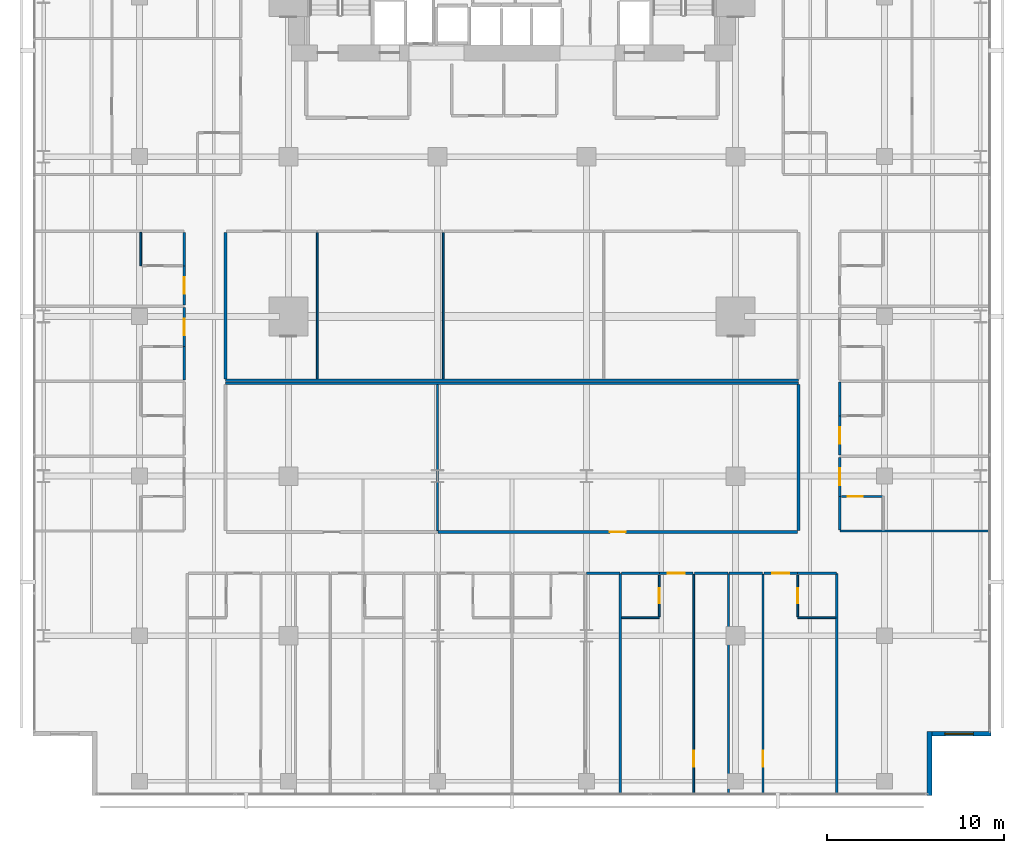
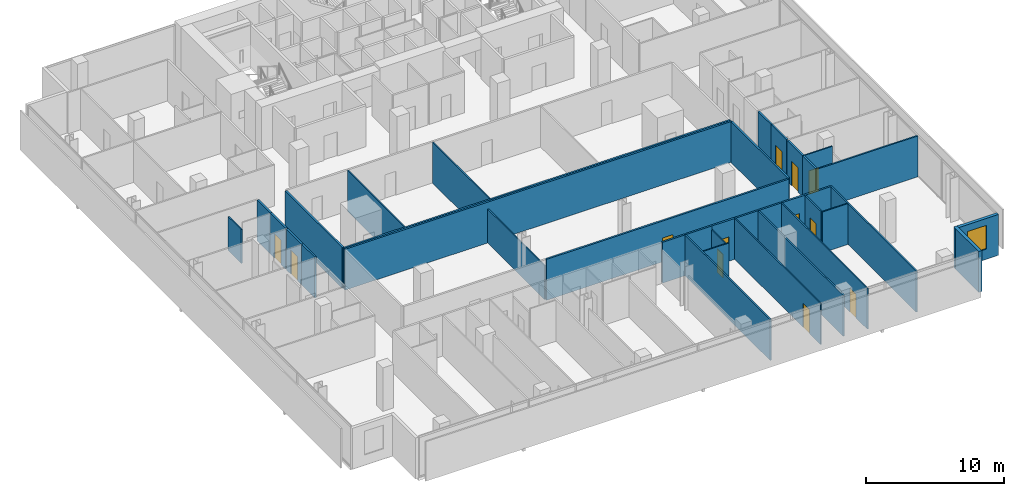
# One storey, part 34 of 40: 37 walls, 12 doors, 1 window, 13 openings.
"""IFC4 building model written with IfcOpenShell, lengths in metres."""

from ifc_helpers import new_model, si_unit, direction, frame, frame_2d, origin, place, context, subcontext, project, spatial, rectangle, extrude, material, layer, layer_set, type_object, element, fill, save


model = new_model("IFC4")

# Units and contexts
model_context = context("Model", 3, precision=1e-05, world=origin(), true_north=direction((0.0, 1.0)))
body_context = subcontext(model_context, "Body", "Model", "MODEL_VIEW")
ifc_project = project(units=[si_unit("LENGTHUNIT", "METRE"), si_unit("AREAUNIT", "SQUARE_METRE"), si_unit("VOLUMEUNIT", "CUBIC_METRE"), si_unit("PLANEANGLEUNIT", "RADIAN"), si_unit("MASSUNIT", "GRAM", prefix="KILO")], contexts=[model_context])

# Site, building, storey
site_placement = place(None, origin())
site = spatial("IfcSite", under=ifc_project, at=site_placement, CompositionType="ELEMENT")
building_placement = place(site_placement, origin())
building = spatial("IfcBuilding", under=site, at=building_placement, Name="Maruvema Waterfront Hotel and Observation Tower", CompositionType="ELEMENT")
storey_placement = place(building_placement, frame((0.0, 0.0, 38.5)))
storey = spatial("IfcBuildingStorey", under=building, at=storey_placement, Name="L08", CompositionType="ELEMENT", Elevation=38.5)

# Walls
ifc_material_1 = material(Name="Twin-stud acoustic gypsum drywall", Category="gypsum")
ifc_layer_1 = layer(ifc_material_1, 0.14990234375, Name="Acoustic Corridor and Suite Demising Wall 150 mm")
ifc_layer_set_1 = layer_set([ifc_layer_1], Name="Twin-stud acoustic gypsum drywall")
wall_type_1 = type_object("IfcWallType", Name="Acoustic Corridor and Suite Demising Wall 150 mm", PredefinedType="PARTITIONING", material=ifc_layer_set_1)
wall_1_placement = place(storey_placement, frame((21.64990234375, 23.39990234375, 0.0), z_axis=(0.0, 0.0, 1.0), x_axis=(1.0, 0.0, 0.0)))
element("IfcWall", 1, at=wall_1_placement, inside=storey, type_object=wall_type_1, Name="L08 L08-INTN Back Wall 022", PredefinedType="PARTITIONING", context=body_context, shape_type="SweptSolid", body=[
    extrude(rectangle(XDim=32.300048828125, YDim=0.14990234375, at=frame_2d((16.14990234375, 0.0))), origin(), (0.0, 0.0, 1.0), 3.610107421875),
])
wall_2_placement = place(storey_placement, frame((21.64990234375, 23.47998046875, 0.0), z_axis=(0.0, 0.0, 1.0), x_axis=(0.0, 1.0, 0.0)))
element("IfcWall", 2, at=wall_2_placement, inside=storey, type_object=wall_type_1, Name="L08 L08-INTN West Wall 023", PredefinedType="PARTITIONING", context=body_context, shape_type="SweptSolid", body=[
    extrude(rectangle(XDim=8.239990234375, YDim=0.14990234375, at=frame_2d((4.1201171875, 0.0))), origin(), (0.0, 0.0, 1.0), 3.610107421875),
])
wall_3_placement = place(storey_placement, frame((21.64990234375, 23.239990234375, 0.0), z_axis=(0.0, 0.0, 1.0), x_axis=(1.0, 0.0, 0.0)))
element("IfcWall", 3, at=wall_3_placement, inside=storey, type_object=wall_type_1, Name="L08 L08-INTS Back Wall 032", PredefinedType="PARTITIONING", context=body_context, shape_type="SweptSolid", body=[
    extrude(rectangle(XDim=32.300048828125, YDim=0.14990234375, at=frame_2d((16.14990234375, 0.0))), origin(), (0.0, 0.0, 1.0), 3.610107421875),
])
wall_4_placement = place(storey_placement, frame((53.949951171875, 14.929931640625, 0.0), z_axis=(0.0, 0.0, 1.0), x_axis=(0.0, 1.0, 0.0)))
element("IfcWall", 4, at=wall_4_placement, inside=storey, type_object=wall_type_1, Name="L08 L08-INTS East Wall 034", PredefinedType="PARTITIONING", context=body_context, shape_type="SweptSolid", body=[
    extrude(rectangle(XDim=8.22998046875, YDim=0.14990234375, at=frame_2d((4.114990234375, 0.0))), origin(), (0.0, 0.0, 1.0), 3.610107421875),
])

# Wall, opening, door
wall_5_placement = place(storey_placement, frame((33.631103515625, 14.85009765625, 0.0), z_axis=(0.0, 0.0, 1.0), x_axis=(1.0, 0.0, 0.0)))
wall_5 = element("IfcWall", 5, at=wall_5_placement, inside=storey, type_object=wall_type_1, Name="L08 L08-INTS Front 2 037", PredefinedType="PARTITIONING", context=body_context, shape_type="SweptSolid", body=[
    extrude(rectangle(XDim=20.2587890625, YDim=0.14990234375, at=frame_2d((10.12939453125, 0.0))), origin(), (0.0, 0.0, 1.0), 3.610107421875),
])
opening_1_placement = place(wall_5_placement, frame((9.679443359375, 0.0, 0.0)))
opening_1 = element("IfcOpeningElement", 6, at=opening_1_placement, cuts=wall_5, Name="Opening DR-090", PredefinedType="OPENING", context=body_context, shape_type="SweptSolid", body=[
    extrude(rectangle(XDim=0.89990234375, YDim=2.10009765625, at=frame_2d((0.449951171875, 1.050048828125))), frame((0.0, 0.0849609375, 0.0), z_axis=(0.0, -1.0, 0.0), x_axis=(1.0, 0.0, 0.0)), (0.0, 0.0, 1.0), 0.169921875),
])
ifc_material_2 = material(Name="Solid-core lacquered timber leaf", Category="wood")
door_type_1 = type_object("IfcDoorType", Name="Accessible Toilet and Room Door 900x2100 mm", OperationType="NOTDEFINED", PredefinedType="DOOR", material=ifc_material_2)
door_1_placement = place(opening_1_placement, frame((0.89990234375, 0.0, 0.0), z_axis=(0.0, 0.0, 1.0), x_axis=(-1.0, 0.0, 0.0)))
door_1 = element("IfcDoor", 7, at=door_1_placement, inside=storey, type_object=door_type_1, Name="L08 Guest Lounge East Door", OperationType="SINGLE_SWING_RIGHT", OverallHeight=2.10009765625, OverallWidth=0.89990234375, PredefinedType="DOOR", context=body_context, shape_type="SweptSolid", body=[
    extrude(rectangle(XDim=0.89990234375, YDim=2.10009765625, at=frame_2d((0.449951171875, 1.050048828125))), frame((0.0, 0.02490234375, 0.0), z_axis=(0.0, -1.0, 0.0), x_axis=(1.0, 0.0, 0.0)), (0.0, 0.0, 1.0), 0.050048828125),
])
fill(opening_1, door_1)

# Walls
wall_6_placement = place(storey_placement, frame((41.989990234375, 12.52001953125, 0.0), z_axis=(0.0, 0.0, 1.0), x_axis=(1.0, 0.0, 0.0)))
element("IfcWall", 8, at=wall_6_placement, inside=storey, type_object=wall_type_1, Name="L08 Bedroom L08-S4 Back Wall 065", PredefinedType="PARTITIONING", context=body_context, shape_type="SweptSolid", body=[
    extrude(rectangle(XDim=1.889892578125, YDim=0.14990234375, at=frame_2d((0.94482421875, 0.0))), origin(), (0.0, 0.0, 1.0), 3.610107421875),
])
wall_7_placement = place(storey_placement, frame((43.97998046875, 12.52001953125, 0.0), z_axis=(0.0, 0.0, 1.0), x_axis=(1.0, 0.0, 0.0)))
element("IfcWall", 9, at=wall_7_placement, inside=storey, type_object=wall_type_1, Name="L08 Bath L08-S5 Back Wall 068", PredefinedType="PARTITIONING", context=body_context, shape_type="SweptSolid", body=[
    extrude(rectangle(XDim=2.1201171875, YDim=0.14990234375, at=frame_2d((1.06005859375, 0.0))), origin(), (0.0, 0.0, 1.0), 3.610107421875),
])

# Wall, opening, door
wall_8_placement = place(storey_placement, frame((46.10009765625, 12.52001953125, 0.0), z_axis=(0.0, 0.0, 1.0), x_axis=(1.0, 0.0, 0.0)))
wall_8 = element("IfcWall", 10, at=wall_8_placement, inside=storey, type_object=wall_type_1, Name="L08 Unit L08-S5 Corridor Wall 071", PredefinedType="PARTITIONING", context=body_context, shape_type="SweptSolid", body=[
    extrude(rectangle(XDim=1.909912109375, YDim=0.14990234375, at=frame_2d((0.955078125, 0.0))), origin(), (0.0, 0.0, 1.0), 3.610107421875),
])
opening_2_placement = place(wall_8_placement, frame((0.47998046875, 0.0, 0.0)))
opening_2 = element("IfcOpeningElement", 11, at=opening_2_placement, cuts=wall_8, Name="Opening DR-095", PredefinedType="OPENING", context=body_context, shape_type="SweptSolid", body=[
    extrude(rectangle(XDim=0.949951171875, YDim=2.14990234375, at=frame_2d((0.47509765625, 1.074951171875))), frame((0.0, 0.0849609375, 0.0), z_axis=(0.0, -1.0, 0.0), x_axis=(1.0, 0.0, 0.0)), (0.0, 0.0, 1.0), 0.169921875),
])
ifc_material_3 = material(Name="Acoustic solid-core hardwood timber leaf", Category="wood")
door_type_2 = type_object("IfcDoorType", Name="Guestroom Entrance Fire Door 950x2150 mm", OperationType="NOTDEFINED", PredefinedType="DOOR", material=ifc_material_3)
door_2_placement = place(opening_2_placement, frame((0.949951171875, 0.0, 0.0), z_axis=(0.0, 0.0, 1.0), x_axis=(-1.0, 0.0, 0.0)))
door_2 = element("IfcDoor", 12, at=door_2_placement, inside=storey, type_object=door_type_2, Name="L08 Unit L08-S5 Entrance Door", OperationType="SINGLE_SWING_RIGHT", OverallHeight=2.14990234375, OverallWidth=0.949951171875, PredefinedType="DOOR", context=body_context, shape_type="SweptSolid", body=[
    extrude(rectangle(XDim=0.949951171875, YDim=2.14990234375, at=frame_2d((0.47509765625, 1.074951171875))), frame((0.0, 0.02490234375, 0.0), z_axis=(0.0, -1.0, 0.0), x_axis=(1.0, 0.0, 0.0)), (0.0, 0.0, 1.0), 0.050048828125),
])
fill(opening_2, door_2)

# Walls
wall_9_placement = place(storey_placement, frame((48.090087890625, 12.52001953125, 0.0), z_axis=(0.0, 0.0, 1.0), x_axis=(1.0, 0.0, 0.0)))
element("IfcWall", 13, at=wall_9_placement, inside=storey, type_object=wall_type_1, Name="L08 Bedroom L08-S5 Back Wall 072", PredefinedType="PARTITIONING", context=body_context, shape_type="SweptSolid", body=[
    extrude(rectangle(XDim=1.889892578125, YDim=0.14990234375, at=frame_2d((0.94482421875, 0.0))), origin(), (0.0, 0.0, 1.0), 3.610107421875),
])
wall_10_placement = place(storey_placement, frame((53.89990234375, 12.52001953125, 0.0), z_axis=(0.0, 0.0, 1.0), x_axis=(1.0, 0.0, 0.0)))
element("IfcWall", 14, at=wall_10_placement, inside=storey, type_object=wall_type_1, Name="L08 Bath L08-S6 Back Wall 075", PredefinedType="PARTITIONING", context=body_context, shape_type="SweptSolid", body=[
    extrude(rectangle(XDim=2.18017578125, YDim=0.14990234375, at=frame_2d((1.090087890625, 0.0))), origin(), (0.0, 0.0, 1.0), 3.610107421875),
])
wall_11_placement = place(storey_placement, frame((50.02001953125, 12.52001953125, 0.0), z_axis=(0.0, 0.0, 1.0), x_axis=(1.0, 0.0, 0.0)))
element("IfcWall", 15, at=wall_11_placement, inside=storey, type_object=wall_type_1, Name="L08 Bedroom L08-S6 Back Wall 078", PredefinedType="PARTITIONING", context=body_context, shape_type="SweptSolid", body=[
    extrude(rectangle(XDim=1.889892578125, YDim=0.14990234375, at=frame_2d((0.94482421875, 0.0))), origin(), (0.0, 0.0, 1.0), 3.610107421875),
])

# Wall, opening, door
wall_12_placement = place(storey_placement, frame((51.989990234375, 12.52001953125, 0.0), z_axis=(0.0, 0.0, 1.0), x_axis=(1.0, 0.0, 0.0)))
wall_12 = element("IfcWall", 16, at=wall_12_placement, inside=storey, type_object=wall_type_1, Name="L08 Unit L08-S6 Corridor Wall 079", PredefinedType="PARTITIONING", context=body_context, shape_type="SweptSolid", body=[
    extrude(rectangle(XDim=1.909912109375, YDim=0.14990234375, at=frame_2d((0.955078125, 0.0))), origin(), (0.0, 0.0, 1.0), 3.610107421875),
])
opening_3_placement = place(wall_12_placement, frame((0.47998046875, 0.0, 0.0)))
opening_3 = element("IfcOpeningElement", 17, at=opening_3_placement, cuts=wall_12, Name="Opening DR-095", PredefinedType="OPENING", context=body_context, shape_type="SweptSolid", body=[
    extrude(rectangle(XDim=0.949951171875, YDim=2.14990234375, at=frame_2d((0.47509765625, 1.074951171875))), frame((0.0, 0.0849609375, 0.0), z_axis=(0.0, -1.0, 0.0), x_axis=(1.0, 0.0, 0.0)), (0.0, 0.0, 1.0), 0.169921875),
])
door_3_placement = place(opening_3_placement, frame((0.949951171875, 0.0, 0.0), z_axis=(0.0, 0.0, 1.0), x_axis=(-1.0, 0.0, 0.0)))
door_3 = element("IfcDoor", 18, at=door_3_placement, inside=storey, type_object=door_type_2, Name="L08 Unit L08-S6 Entrance Door", OperationType="SINGLE_SWING_LEFT", OverallHeight=2.14990234375, OverallWidth=0.949951171875, PredefinedType="DOOR", context=body_context, shape_type="SweptSolid", body=[
    extrude(rectangle(XDim=0.949951171875, YDim=2.14990234375, at=frame_2d((0.47509765625, 1.074951171875))), frame((0.0, 0.02490234375, 0.0), z_axis=(0.0, -1.0, 0.0), x_axis=(1.0, 0.0, 0.0)), (0.0, 0.0, 1.0), 0.050048828125),
])
fill(opening_3, door_3)

# Wall
wall_13_placement = place(storey_placement, frame((56.280029296875, 14.9599609375, 0.0), z_axis=(0.0, 0.0, 1.0), x_axis=(0.0, 1.0, 0.0)))
element("IfcWall", 19, at=wall_13_placement, inside=storey, type_object=wall_type_1, Name="L08 Bath L08-E1 Wall 089", PredefinedType="PARTITIONING", context=body_context, shape_type="SweptSolid", body=[
    extrude(rectangle(XDim=1.89013671875, YDim=0.14990234375, at=frame_2d((0.945068359375, 0.0))), origin(), (0.0, 0.0, 1.0), 3.610107421875),
])

# Wall, opening, door
wall_14_placement = place(storey_placement, frame((56.280029296875, 16.85009765625, 0.0), z_axis=(0.0, 0.0, 1.0), x_axis=(0.0, 1.0, 0.0)))
wall_14 = element("IfcWall", 20, at=wall_14_placement, inside=storey, type_object=wall_type_1, Name="L08 Room L08-E1 Corridor Wall 090", PredefinedType="PARTITIONING", context=body_context, shape_type="SweptSolid", body=[
    extrude(rectangle(XDim=2.2099609375, YDim=0.14990234375, at=frame_2d((1.10498046875, 0.0))), origin(), (0.0, 0.0, 1.0), 3.610107421875),
])
opening_4_placement = place(wall_14_placement, frame((0.6298828125, 0.0, 0.0)))
opening_4 = element("IfcOpeningElement", 21, at=opening_4_placement, cuts=wall_14, Name="Opening DR-095", PredefinedType="OPENING", context=body_context, shape_type="SweptSolid", body=[
    extrude(rectangle(XDim=0.949951171875, YDim=2.14990234375, at=frame_2d((0.47509765625, 1.074951171875))), frame((0.0, 0.0849609375, 0.0), z_axis=(0.0, -1.0, 0.0), x_axis=(1.0, 0.0, 0.0)), (0.0, 0.0, 1.0), 0.169921875),
])
door_4_placement = place(opening_4_placement, frame((0.949951171875, 0.0, 0.0), z_axis=(0.0, 0.0, 1.0), x_axis=(-1.0, 0.0, 0.0)))
door_4 = element("IfcDoor", 22, at=door_4_placement, inside=storey, type_object=door_type_2, Name="L08 Room L08-E1 Entrance Door", OperationType="SINGLE_SWING_RIGHT", OverallHeight=2.14990234375, OverallWidth=0.949951171875, PredefinedType="DOOR", context=body_context, shape_type="SweptSolid", body=[
    extrude(rectangle(XDim=0.949951171875, YDim=2.14990234375, at=frame_2d((0.47509765625, 1.074951171875))), frame((0.0, 0.02490234375, 0.0), z_axis=(0.0, -1.0, 0.0), x_axis=(1.0, 0.0, 0.0)), (0.0, 0.0, 1.0), 0.050048828125),
])
fill(opening_4, door_4)

wall_15_placement = place(storey_placement, frame((56.280029296875, 19.179931640625, 0.0), z_axis=(0.0, 0.0, 1.0), x_axis=(0.0, 1.0, 0.0)))
wall_15 = element("IfcWall", 23, at=wall_15_placement, inside=storey, type_object=wall_type_1, Name="L08 Room L08-E2 Corridor Wall 099", PredefinedType="PARTITIONING", context=body_context, shape_type="SweptSolid", body=[
    extrude(rectangle(XDim=2.219970703125, YDim=0.14990234375, at=frame_2d((1.10986328125, 0.0))), origin(), (0.0, 0.0, 1.0), 3.610107421875),
])
opening_5_placement = place(wall_15_placement, frame((0.635009765625, 0.0, 0.0)))
opening_5 = element("IfcOpeningElement", 24, at=opening_5_placement, cuts=wall_15, Name="Opening DR-095", PredefinedType="OPENING", context=body_context, shape_type="SweptSolid", body=[
    extrude(rectangle(XDim=0.949951171875, YDim=2.14990234375, at=frame_2d((0.47509765625, 1.074951171875))), frame((0.0, 0.0849609375, 0.0), z_axis=(0.0, -1.0, 0.0), x_axis=(1.0, 0.0, 0.0)), (0.0, 0.0, 1.0), 0.169921875),
])
door_5_placement = place(opening_5_placement, frame((0.949951171875, 0.0, 0.0), z_axis=(0.0, 0.0, 1.0), x_axis=(-1.0, 0.0, 0.0)))
door_5 = element("IfcDoor", 25, at=door_5_placement, inside=storey, type_object=door_type_2, Name="L08 Room L08-E2 Entrance Door", OperationType="SINGLE_SWING_RIGHT", OverallHeight=2.14990234375, OverallWidth=0.949951171875, PredefinedType="DOOR", context=body_context, shape_type="SweptSolid", body=[
    extrude(rectangle(XDim=0.949951171875, YDim=2.14990234375, at=frame_2d((0.47509765625, 1.074951171875))), frame((0.0, 0.02490234375, 0.0), z_axis=(0.0, -1.0, 0.0), x_axis=(1.0, 0.0, 0.0)), (0.0, 0.0, 1.0), 0.050048828125),
])
fill(opening_5, door_5)

# Walls
for number, where, z_axis, x_axis, name in (
    (26, (56.280029296875, 21.39990234375, 0.0), (0.0, 0.0, 1.0), (0.0, 1.0, 0.0), "L08 Bath L08-E2 Wall 100"),
    (27, (19.320068359375, 23.409912109375, 0.0), (0.0, 0.0, 1.0), (0.0, 1.0, 0.0), "L08 Bath L08-W3 Wall 105"),
):
    element("IfcWall", number, at=place(storey_placement, frame(where, z_axis=z_axis, x_axis=x_axis)), inside=storey, type_object=wall_type_1, Name=name, PredefinedType="PARTITIONING", context=body_context, shape_type="SweptSolid", body=[
        extrude(rectangle(XDim=1.89013671875, YDim=0.14990234375, at=frame_2d((0.945068359375, 0.0))), origin(), (0.0, 0.0, 1.0), 3.610107421875),
    ])

# Wall, opening, door
wall_16_placement = place(storey_placement, frame((19.320068359375, 25.300048828125, 0.0), z_axis=(0.0, 0.0, 1.0), x_axis=(0.0, 1.0, 0.0)))
wall_16 = element("IfcWall", 28, at=wall_16_placement, inside=storey, type_object=wall_type_1, Name="L08 Room L08-W3 Corridor Wall 106", PredefinedType="PARTITIONING", context=body_context, shape_type="SweptSolid", body=[
    extrude(rectangle(XDim=2.2099609375, YDim=0.14990234375, at=frame_2d((1.10498046875, 0.0))), origin(), (0.0, 0.0, 1.0), 3.610107421875),
])
opening_6_placement = place(wall_16_placement, frame((0.6298828125, 0.0, 0.0)))
opening_6 = element("IfcOpeningElement", 29, at=opening_6_placement, cuts=wall_16, Name="Opening DR-095", PredefinedType="OPENING", context=body_context, shape_type="SweptSolid", body=[
    extrude(rectangle(XDim=0.949951171875, YDim=2.14990234375, at=frame_2d((0.47509765625, 1.074951171875))), frame((0.0, 0.0849609375, 0.0), z_axis=(0.0, -1.0, 0.0), x_axis=(1.0, 0.0, 0.0)), (0.0, 0.0, 1.0), 0.169921875),
])
door_6_placement = place(opening_6_placement, origin())
door_6 = element("IfcDoor", 30, at=door_6_placement, inside=storey, type_object=door_type_2, Name="L08 Room L08-W3 Entrance Door", OperationType="SINGLE_SWING_RIGHT", OverallHeight=2.14990234375, OverallWidth=0.949951171875, PredefinedType="DOOR", context=body_context, shape_type="SweptSolid", body=[
    extrude(rectangle(XDim=0.949951171875, YDim=2.14990234375, at=frame_2d((0.47509765625, 1.074951171875))), frame((0.0, 0.02490234375, 0.0), z_axis=(0.0, -1.0, 0.0), x_axis=(1.0, 0.0, 0.0)), (0.0, 0.0, 1.0), 0.050048828125),
])
fill(opening_6, door_6)

wall_17_placement = place(storey_placement, frame((19.320068359375, 27.6298828125, 0.0), z_axis=(0.0, 0.0, 1.0), x_axis=(0.0, 1.0, 0.0)))
wall_17 = element("IfcWall", 31, at=wall_17_placement, inside=storey, type_object=wall_type_1, Name="L08 Room L08-W4 Corridor Wall 115", PredefinedType="PARTITIONING", context=body_context, shape_type="SweptSolid", body=[
    extrude(rectangle(XDim=2.22021484375, YDim=0.14990234375, at=frame_2d((1.110107421875, 0.0))), origin(), (0.0, 0.0, 1.0), 3.610107421875),
])
opening_7_placement = place(wall_17_placement, frame((0.635009765625, 0.0, 0.0)))
opening_7 = element("IfcOpeningElement", 32, at=opening_7_placement, cuts=wall_17, Name="Opening DR-095", PredefinedType="OPENING", context=body_context, shape_type="SweptSolid", body=[
    extrude(rectangle(XDim=0.949951171875, YDim=2.14990234375, at=frame_2d((0.47509765625, 1.074951171875))), frame((0.0, 0.0849609375, 0.0), z_axis=(0.0, -1.0, 0.0), x_axis=(1.0, 0.0, 0.0)), (0.0, 0.0, 1.0), 0.169921875),
])
door_7_placement = place(opening_7_placement, origin())
door_7 = element("IfcDoor", 33, at=door_7_placement, inside=storey, type_object=door_type_2, Name="L08 Room L08-W4 Entrance Door", OperationType="SINGLE_SWING_RIGHT", OverallHeight=2.14990234375, OverallWidth=0.949951171875, PredefinedType="DOOR", context=body_context, shape_type="SweptSolid", body=[
    extrude(rectangle(XDim=0.949951171875, YDim=2.14990234375, at=frame_2d((0.47509765625, 1.074951171875))), frame((0.0, 0.02490234375, 0.0), z_axis=(0.0, -1.0, 0.0), x_axis=(1.0, 0.0, 0.0)), (0.0, 0.0, 1.0), 0.050048828125),
])
fill(opening_7, door_7)

# Walls
wall_18_placement = place(storey_placement, frame((19.320068359375, 29.85009765625, 0.0), z_axis=(0.0, 0.0, 1.0), x_axis=(0.0, 1.0, 0.0)))
element("IfcWall", 34, at=wall_18_placement, inside=storey, type_object=wall_type_1, Name="L08 Bath L08-W4 Wall 116", PredefinedType="PARTITIONING", context=body_context, shape_type="SweptSolid", body=[
    extrude(rectangle(XDim=1.889892578125, YDim=0.14990234375, at=frame_2d((0.94482421875, 0.0))), origin(), (0.0, 0.0, 1.0), 3.610107421875),
])
ifc_material_4 = material(Name="Moisture-resistant cement-board drywall", Category="gypsum")
ifc_layer_2 = layer(ifc_material_4, 0.10009765625, Name="En-Suite Moisture-Resistant Partition 100 mm")
ifc_layer_set_2 = layer_set([ifc_layer_2], Name="Moisture-resistant cement-board drywall")
wall_type_2 = type_object("IfcWallType", Name="En-Suite Moisture-Resistant Partition 100 mm", PredefinedType="PARTITIONING", material=ifc_layer_set_2)
for number, where, z_axis, x_axis, name in (
    (35, (26.818115234375, 23.47998046875, 0.0), (0.0, 0.0, 1.0), (0.0, 1.0, 0.0), "L08 L08-INTN Split 1 026"),
    (36, (33.924072265625, 23.47998046875, 0.0), (0.0, 0.0, 1.0), (0.0, 1.0, 0.0), "L08 L08-INTN Split 2 028"),
):
    element("IfcWall", number, at=place(storey_placement, frame(where, z_axis=z_axis, x_axis=x_axis)), inside=storey, type_object=wall_type_2, Name=name, PredefinedType="PARTITIONING", context=body_context, shape_type="SweptSolid", body=[
        extrude(rectangle(XDim=8.239990234375, YDim=0.10009765625, at=frame_2d((4.1201171875, 0.0))), origin(), (0.0, 0.0, 1.0), 3.610107421875),
    ])
wall_19_placement = place(storey_placement, frame((33.60107421875, 14.929931640625, 0.0), z_axis=(0.0, 0.0, 1.0), x_axis=(0.0, 1.0, 0.0)))
element("IfcWall", 37, at=wall_19_placement, inside=storey, type_object=wall_type_2, Name="L08 L08-INTS Split 1 036", PredefinedType="PARTITIONING", context=body_context, shape_type="SweptSolid", body=[
    extrude(rectangle(XDim=8.22998046875, YDim=0.10009765625, at=frame_2d((4.114990234375, 0.0))), origin(), (0.0, 0.0, 1.0), 2.988037109375),
])
wall_20_placement = place(storey_placement, frame((43.97998046875, 10.02001953125, 0.0), z_axis=(0.0, 0.0, 1.0), x_axis=(1.0, 0.0, 0.0)))
element("IfcWall", 38, at=wall_20_placement, inside=storey, type_object=wall_type_2, Name="L08 En-Suite L08-S5 South 069", PredefinedType="PARTITIONING", context=body_context, shape_type="SweptSolid", body=[
    extrude(rectangle(XDim=2.1201171875, YDim=0.10009765625, at=frame_2d((1.06005859375, 0.0))), origin(), (0.0, 0.0, 1.0), 3.610107421875),
])

# Wall, opening, door
wall_21_placement = place(storey_placement, frame((46.10009765625, 10.080078125, 0.0), z_axis=(0.0, 0.0, 1.0), x_axis=(0.0, 1.0, 0.0)))
wall_21 = element("IfcWall", 39, at=wall_21_placement, inside=storey, type_object=wall_type_2, Name="L08 En-Suite L08-S5 East 070", PredefinedType="PARTITIONING", context=body_context, shape_type="SweptSolid", body=[
    extrude(rectangle(XDim=2.33984375, YDim=0.10009765625, at=frame_2d((1.169921875, 0.0))), origin(), (0.0, 0.0, 1.0), 3.29296875),
])
opening_8_placement = place(wall_21_placement, frame((0.7451171875, 0.0, 0.0)))
opening_8 = element("IfcOpeningElement", 40, at=opening_8_placement, cuts=wall_21, Name="Opening DR-085", PredefinedType="OPENING", context=body_context, shape_type="SweptSolid", body=[
    extrude(rectangle(XDim=0.85009765625, YDim=2.10009765625, at=frame_2d((0.425048828125, 1.050048828125))), frame((0.0, 0.06005859375, 0.0), z_axis=(0.0, -1.0, 0.0), x_axis=(1.0, 0.0, 0.0)), (0.0, 0.0, 1.0), 0.1201171875),
])
ifc_material_5 = material(Name="Moisture-resistant solid timber leaf", Category="wood")
door_type_3 = type_object("IfcDoorType", Name="En-Suite Bathroom Door 850x2100 mm", OperationType="NOTDEFINED", PredefinedType="DOOR", material=ifc_material_5)
door_8_placement = place(opening_8_placement, frame((0.85009765625, 0.0, 0.0), z_axis=(0.0, 0.0, 1.0), x_axis=(-1.0, 0.0, 0.0)))
door_8 = element("IfcDoor", 41, at=door_8_placement, inside=storey, type_object=door_type_3, Name="L08 En-Suite L08-S5 Door", OperationType="SINGLE_SWING_LEFT", OverallHeight=2.10009765625, OverallWidth=0.85009765625, PredefinedType="DOOR", context=body_context, shape_type="SweptSolid", body=[
    extrude(rectangle(XDim=0.85009765625, YDim=2.10009765625, at=frame_2d((0.425048828125, 1.050048828125))), frame((0.0, 0.02490234375, 0.0), z_axis=(0.0, -1.0, 0.0), x_axis=(1.0, 0.0, 0.0)), (0.0, 0.0, 1.0), 0.050048828125),
])
fill(opening_8, door_8)

wall_22_placement = place(storey_placement, frame((48.050048828125, 0.030029296875, 0.0), z_axis=(0.0, 0.0, 1.0), x_axis=(0.0, 1.0, 0.0)))
wall_22 = element("IfcWall", 42, at=wall_22_placement, inside=storey, type_object=wall_type_2, Name="L08 Suite L08-S5 Split 073", PredefinedType="PARTITIONING", context=body_context, shape_type="SweptSolid", body=[
    extrude(rectangle(XDim=12.429931640625, YDim=0.10009765625, at=frame_2d((6.21484375, 0.0))), origin(), (0.0, 0.0, 1.0), 3.610107421875),
])
opening_9_placement = place(wall_22_placement, frame((1.60009765625, 0.0, 0.0)))
opening_9 = element("IfcOpeningElement", 43, at=opening_9_placement, cuts=wall_22, Name="Opening DR-090", PredefinedType="OPENING", context=body_context, shape_type="SweptSolid", body=[
    extrude(rectangle(XDim=0.89990234375, YDim=2.10009765625, at=frame_2d((0.449951171875, 1.050048828125))), frame((0.0, 0.06005859375, 0.0), z_axis=(0.0, -1.0, 0.0), x_axis=(1.0, 0.0, 0.0)), (0.0, 0.0, 1.0), 0.1201171875),
])
door_9_placement = place(opening_9_placement, origin())
door_9 = element("IfcDoor", 44, at=door_9_placement, inside=storey, type_object=door_type_1, Name="L08 Suite L08-S5 Bedroom Door", OperationType="SINGLE_SWING_LEFT", OverallHeight=2.10009765625, OverallWidth=0.89990234375, PredefinedType="DOOR", context=body_context, shape_type="SweptSolid", body=[
    extrude(rectangle(XDim=0.89990234375, YDim=2.10009765625, at=frame_2d((0.449951171875, 1.050048828125))), frame((0.0, 0.02490234375, 0.0), z_axis=(0.0, -1.0, 0.0), x_axis=(1.0, 0.0, 0.0)), (0.0, 0.0, 1.0), 0.050048828125),
])
fill(opening_9, door_9)

# Wall
wall_23_placement = place(storey_placement, frame((53.89990234375, 10.02001953125, 0.0), z_axis=(0.0, 0.0, 1.0), x_axis=(1.0, 0.0, 0.0)))
element("IfcWall", 45, at=wall_23_placement, inside=storey, type_object=wall_type_2, Name="L08 En-Suite L08-S6 South 076", PredefinedType="PARTITIONING", context=body_context, shape_type="SweptSolid", body=[
    extrude(rectangle(XDim=2.16015625, YDim=0.10009765625, at=frame_2d((1.080078125, 0.0))), origin(), (0.0, 0.0, 1.0), 3.610107421875),
])

# Wall, opening, door
wall_24_placement = place(storey_placement, frame((53.89990234375, 10.080078125, 0.0), z_axis=(0.0, 0.0, 1.0), x_axis=(0.0, 1.0, 0.0)))
wall_24 = element("IfcWall", 46, at=wall_24_placement, inside=storey, type_object=wall_type_2, Name="L08 En-Suite L08-S6 West 077", PredefinedType="PARTITIONING", context=body_context, shape_type="SweptSolid", body=[
    extrude(rectangle(XDim=2.33984375, YDim=0.10009765625, at=frame_2d((1.169921875, 0.0))), origin(), (0.0, 0.0, 1.0), 3.610107421875),
])
opening_10_placement = place(wall_24_placement, frame((0.7451171875, 0.0, 0.0)))
opening_10 = element("IfcOpeningElement", 47, at=opening_10_placement, cuts=wall_24, Name="Opening DR-085", PredefinedType="OPENING", context=body_context, shape_type="SweptSolid", body=[
    extrude(rectangle(XDim=0.85009765625, YDim=2.10009765625, at=frame_2d((0.425048828125, 1.050048828125))), frame((0.0, 0.06005859375, 0.0), z_axis=(0.0, -1.0, 0.0), x_axis=(1.0, 0.0, 0.0)), (0.0, 0.0, 1.0), 0.1201171875),
])
door_10_placement = place(opening_10_placement, origin())
door_10 = element("IfcDoor", 48, at=door_10_placement, inside=storey, type_object=door_type_3, Name="L08 En-Suite L08-S6 Door", OperationType="SINGLE_SWING_RIGHT", OverallHeight=2.10009765625, OverallWidth=0.85009765625, PredefinedType="DOOR", context=body_context, shape_type="SweptSolid", body=[
    extrude(rectangle(XDim=0.85009765625, YDim=2.10009765625, at=frame_2d((0.425048828125, 1.050048828125))), frame((0.0, 0.02490234375, 0.0), z_axis=(0.0, -1.0, 0.0), x_axis=(1.0, 0.0, 0.0)), (0.0, 0.0, 1.0), 0.050048828125),
])
fill(opening_10, door_10)

wall_25_placement = place(storey_placement, frame((51.949951171875, 0.030029296875, 0.0), z_axis=(0.0, 0.0, 1.0), x_axis=(0.0, 1.0, 0.0)))
wall_25 = element("IfcWall", 49, at=wall_25_placement, inside=storey, type_object=wall_type_2, Name="L08 Suite L08-S6 Split 080", PredefinedType="PARTITIONING", context=body_context, shape_type="SweptSolid", body=[
    extrude(rectangle(XDim=12.429931640625, YDim=0.10009765625, at=frame_2d((6.21484375, 0.0))), origin(), (0.0, 0.0, 1.0), 3.610107421875),
])
opening_11_placement = place(wall_25_placement, frame((1.60009765625, 0.0, 0.0)))
opening_11 = element("IfcOpeningElement", 50, at=opening_11_placement, cuts=wall_25, Name="Opening DR-090", PredefinedType="OPENING", context=body_context, shape_type="SweptSolid", body=[
    extrude(rectangle(XDim=0.89990234375, YDim=2.10009765625, at=frame_2d((0.449951171875, 1.050048828125))), frame((0.0, 0.06005859375, 0.0), z_axis=(0.0, -1.0, 0.0), x_axis=(1.0, 0.0, 0.0)), (0.0, 0.0, 1.0), 0.1201171875),
])
door_11_placement = place(opening_11_placement, frame((0.89990234375, 0.0, 0.0), z_axis=(0.0, 0.0, 1.0), x_axis=(-1.0, 0.0, 0.0)))
door_11 = element("IfcDoor", 51, at=door_11_placement, inside=storey, type_object=door_type_1, Name="L08 Suite L08-S6 Bedroom Door", OperationType="SINGLE_SWING_RIGHT", OverallHeight=2.10009765625, OverallWidth=0.89990234375, PredefinedType="DOOR", context=body_context, shape_type="SweptSolid", body=[
    extrude(rectangle(XDim=0.89990234375, YDim=2.10009765625, at=frame_2d((0.449951171875, 1.050048828125))), frame((0.0, 0.02490234375, 0.0), z_axis=(0.0, -1.0, 0.0), x_axis=(1.0, 0.0, 0.0)), (0.0, 0.0, 1.0), 0.050048828125),
])
fill(opening_11, door_11)

wall_26_placement = place(storey_placement, frame((56.3798828125, 16.85009765625, 0.0), z_axis=(0.0, 0.0, 1.0), x_axis=(1.0, 0.0, 0.0)))
wall_26 = element("IfcWall", 52, at=wall_26_placement, inside=storey, type_object=wall_type_2, Name="L08 En-Suite L08-E1 N 092", PredefinedType="PARTITIONING", context=body_context, shape_type="SweptSolid", body=[
    extrude(rectangle(XDim=2.300048828125, YDim=0.10009765625, at=frame_2d((1.14990234375, 0.0))), origin(), (0.0, 0.0, 1.0), 3.610107421875),
])
opening_12_placement = place(wall_26_placement, frame((0.35009765625, 0.0, 0.0)))
opening_12 = element("IfcOpeningElement", 53, at=opening_12_placement, cuts=wall_26, Name="Opening DR-085", PredefinedType="OPENING", context=body_context, shape_type="SweptSolid", body=[
    extrude(rectangle(XDim=0.85009765625, YDim=2.10009765625, at=frame_2d((0.425048828125, 1.050048828125))), frame((0.0, 0.06005859375, 0.0), z_axis=(0.0, -1.0, 0.0), x_axis=(1.0, 0.0, 0.0)), (0.0, 0.0, 1.0), 0.1201171875),
])
door_12_placement = place(opening_12_placement, origin())
door_12 = element("IfcDoor", 54, at=door_12_placement, inside=storey, type_object=door_type_3, Name="L08 En-Suite L08-E1 Door", OperationType="SINGLE_SWING_LEFT", OverallHeight=2.10009765625, OverallWidth=0.85009765625, PredefinedType="DOOR", context=body_context, shape_type="SweptSolid", body=[
    extrude(rectangle(XDim=0.85009765625, YDim=2.10009765625, at=frame_2d((0.425048828125, 1.050048828125))), frame((0.0, 0.02490234375, 0.0), z_axis=(0.0, -1.0, 0.0), x_axis=(1.0, 0.0, 0.0)), (0.0, 0.0, 1.0), 0.050048828125),
])
fill(opening_12, door_12)

# Walls
wall_27_placement = place(storey_placement, frame((16.8701171875, 29.85009765625, 0.0), z_axis=(0.0, 0.0, 1.0), x_axis=(0.0, 1.0, 0.0)))
element("IfcWall", 55, at=wall_27_placement, inside=storey, type_object=wall_type_2, Name="L08 En-Suite L08-W4 W 117", PredefinedType="PARTITIONING", context=body_context, shape_type="SweptSolid", body=[
    extrude(rectangle(XDim=1.889892578125, YDim=0.10009765625, at=frame_2d((0.94482421875, 0.0))), origin(), (0.0, 0.0, 1.0), 2.988037109375),
])
ifc_material_6 = material(Name="Precast concrete C45/55 with honed Pernambuco granite facing", Category="masonry")
ifc_layer_3 = layer(ifc_material_6, 0.260009765625, Name="Exterior Granite Clad Spandrel and Pier Wall 260 mm")
ifc_layer_set_3 = layer_set([ifc_layer_3], Name="Precast concrete C45/55 with honed Pernambuco granite facing")
wall_type_3 = type_object("IfcWallType", Name="Exterior Granite Clad Spandrel and Pier Wall 260 mm", PredefinedType="SOLIDWALL", material=ifc_layer_set_3)
wall_28_placement = place(storey_placement, frame((61.330078125, 3.60009765625, 0.0), z_axis=(0.0, 0.0, 1.0), x_axis=(0.0, -1.0, 0.0)))
element("IfcWall", 56, at=wall_28_placement, inside=storey, type_object=wall_type_3, Name="L08 Corner Notch Granite Pier Wall SE1", PredefinedType="SOLIDWALL", context=body_context, shape_type="SweptSolid", body=[
    extrude(rectangle(XDim=3.60009765625, YDim=0.260009765625, at=frame_2d((1.800048828125, 0.0))), origin(), (0.0, 0.0, 1.0), 3.610107421875),
])

# Wall, opening, window
wall_29_placement = place(storey_placement, frame((64.800048828125, 3.469970703125, 0.0), z_axis=(0.0, 0.0, 1.0), x_axis=(-1.0, 0.0, 0.0)))
wall_29 = element("IfcWall", 57, at=wall_29_placement, inside=storey, type_object=wall_type_3, Name="L08 Corner Notch Granite Pier Wall SE2", PredefinedType="SOLIDWALL", context=body_context, shape_type="SweptSolid", body=[
    extrude(rectangle(XDim=3.60009765625, YDim=0.260009765625, at=frame_2d((1.800048828125, 0.0))), origin(), (0.0, 0.0, 1.0), 3.610107421875),
])
opening_13_placement = place(wall_29_placement, frame((1.0, 0.0, 0.89990234375)))
opening_13 = element("IfcOpeningElement", 58, at=opening_13_placement, cuts=wall_29, Name="Opening WN-01", PredefinedType="OPENING", context=body_context, shape_type="SweptSolid", body=[
    extrude(rectangle(XDim=1.60009765625, YDim=2.10009765625, at=frame_2d((0.800048828125, 1.050048828125))), frame((0.0, 0.14013671875, 0.0), z_axis=(0.0, -1.0, 0.0), x_axis=(1.0, 0.0, 0.0)), (0.0, 0.0, 1.0), 0.280029296875),
])
ifc_material_7 = material(Name="Anodised bronze aluminium frame with laminated low-E glass", Category="aluminium")
window_type = type_object("IfcWindowType", Name="Corner Notch Feature Window 1600x2100 mm", PartitioningType="SINGLE_PANEL", PredefinedType="WINDOW", material=ifc_material_7)
window_placement = place(opening_13_placement, origin())
window = element("IfcWindow", 59, at=window_placement, inside=storey, type_object=window_type, Name="L08 Corner Notch Punched Window SE2", OverallHeight=2.10009765625, OverallWidth=1.60009765625, PartitioningType="SINGLE_PANEL", PredefinedType="WINDOW", context=body_context, shape_type="SweptSolid", body=[
    extrude(rectangle(XDim=1.60009765625, YDim=2.10009765625, at=frame_2d((0.800048828125, 1.050048828125))), frame((0.0, 0.030029296875, 0.0), z_axis=(0.0, -1.0, 0.0), x_axis=(1.0, 0.0, 0.0)), (0.0, 0.0, 1.0), 0.06005859375),
])
fill(opening_13, window)

# Walls
ifc_material_8 = material(Name="Acoustic gypsum plasterboard drywall", Category="gypsum")
ifc_layer_4 = layer(ifc_material_8, 0.125, Name="Guestroom Acoustic Demising Wall 125 mm")
ifc_layer_set_4 = layer_set([ifc_layer_4], Name="Acoustic gypsum plasterboard drywall")
wall_type_4 = type_object("IfcWallType", Name="Guestroom Acoustic Demising Wall 125 mm", PredefinedType="PARTITIONING", material=ifc_layer_set_4)
for number, where, z_axis, x_axis, name in (
    (60, (56.10009765625, 0.10009765625, 0.0), (0.0, 0.0, 1.0), (0.0, 1.0, 0.0), "L08 S East End 039"),
    (61, (43.89990234375, 0.10009765625, 0.0), (0.0, 0.0, 1.0), (0.0, 1.0, 0.0), "L08 S Demising 5 067"),
    (62, (50.0, 0.10009765625, 0.0), (0.0, 0.0, 1.0), (0.0, 1.0, 0.0), "L08 S Demising 6 074"),
):
    element("IfcWall", number, at=place(storey_placement, frame(where, z_axis=z_axis, x_axis=x_axis)), inside=storey, type_object=wall_type_4, Name=name, PredefinedType="PARTITIONING", context=body_context, shape_type="SweptSolid", body=[
        extrude(rectangle(XDim=12.419921875, YDim=0.125, at=frame_2d((6.2099609375, 0.0))), origin(), (0.0, 0.0, 1.0), 3.610107421875),
    ])
wall_30_placement = place(storey_placement, frame((56.280029296875, 14.89990234375, 0.0), z_axis=(0.0, 0.0, 1.0), x_axis=(1.0, 0.0, 0.0)))
element("IfcWall", 63, at=wall_30_placement, inside=storey, type_object=wall_type_4, Name="L08 E Bot End 082", PredefinedType="PARTITIONING", context=body_context, shape_type="SweptSolid", body=[
    extrude(rectangle(XDim=8.419921875, YDim=0.125, at=frame_2d((4.2099609375, 0.0))), origin(), (0.0, 0.0, 1.0), 3.610107421875),
])

save(model, "model.ifc")
